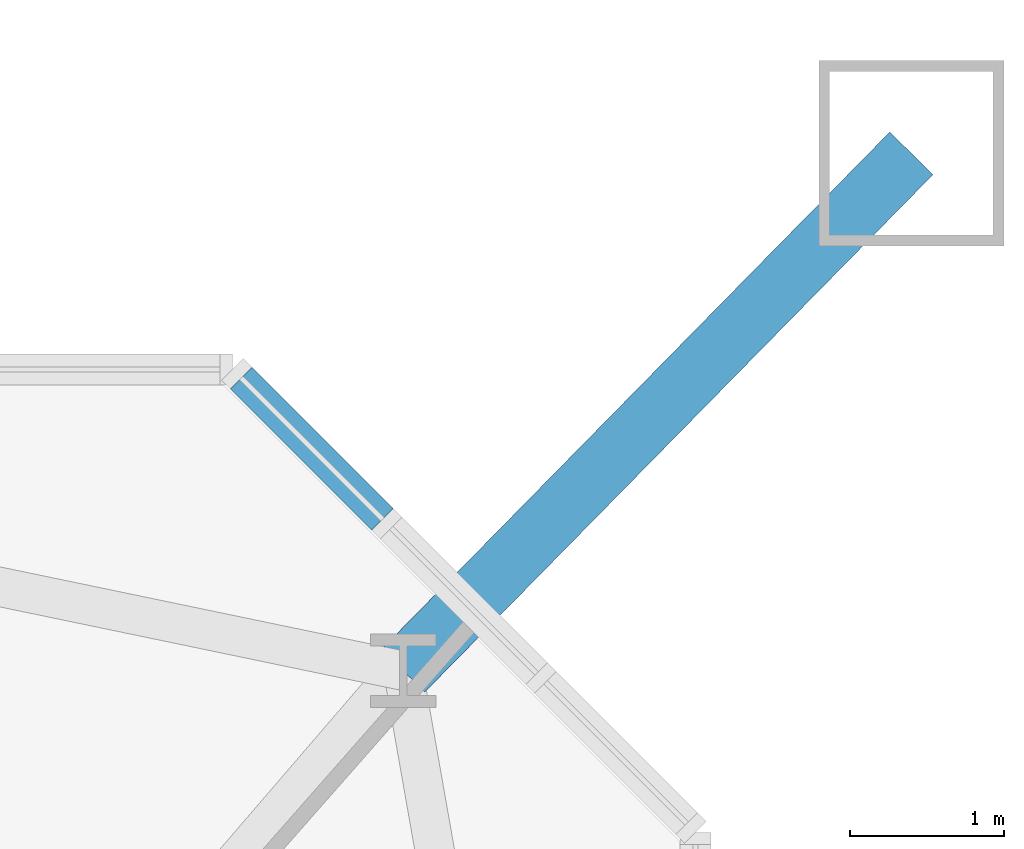
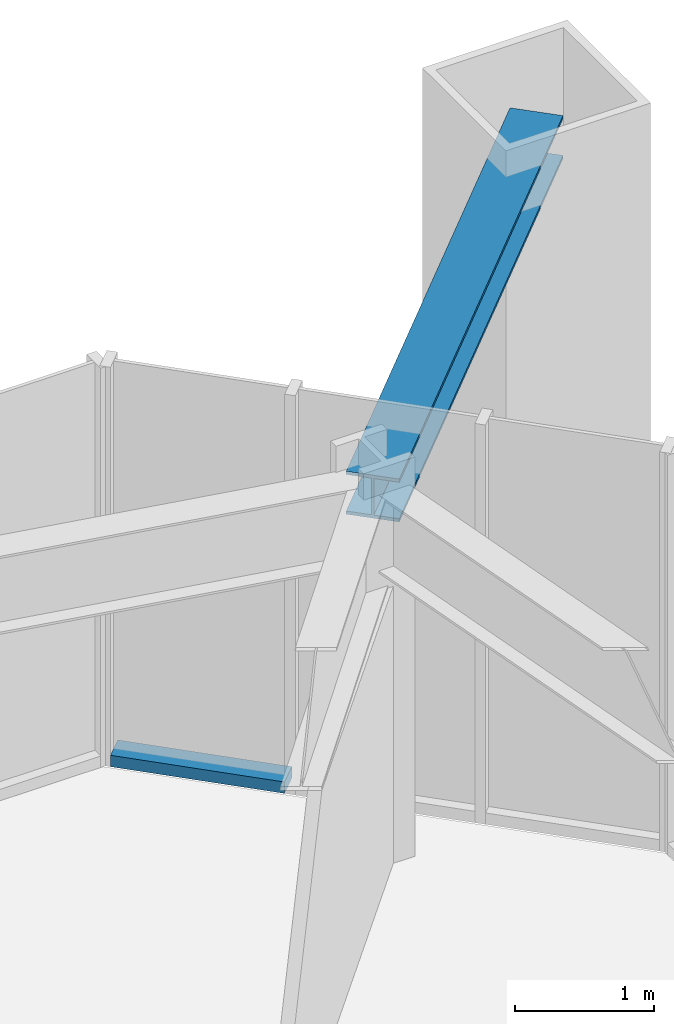
# One storey, part 11 of 26: 2 members, 1 element without a shape of its own.
"""IFC4 building model written with IfcOpenShell, lengths in metres."""

from ifc_helpers import new_model, si_unit, direction, frame, origin, origin_2d, place, context, subcontext, project, spatial, rectangle, i_section, extrude, material, material_profile, profile_set, type_object, element, aggregate, save


model = new_model("IFC4")

# Units and contexts
model_context = context("Model", 3, precision=1e-05, world=origin(), true_north=direction((0.0, 1.0)))
body_context = subcontext(model_context, "Body", "Model", "MODEL_VIEW")
ifc_project = project(units=[si_unit("LENGTHUNIT", "METRE"), si_unit("AREAUNIT", "SQUARE_METRE"), si_unit("VOLUMEUNIT", "CUBIC_METRE"), si_unit("PLANEANGLEUNIT", "RADIAN"), si_unit("MASSUNIT", "GRAM", prefix="KILO")], contexts=[model_context])

# Site, building, storey
site_placement = place(None, origin())
site = spatial("IfcSite", under=ifc_project, at=site_placement, CompositionType="ELEMENT")
building_placement = place(site_placement, origin())
building = spatial("IfcBuilding", under=site, at=building_placement, Name="Iwan Alto Co-Living Towers", CompositionType="ELEMENT")
storey_placement = place(building_placement, frame((0.0, 0.0, 22.0)))
storey = spatial("IfcBuildingStorey", under=building, at=storey_placement, Name="L05", CompositionType="ELEMENT", Elevation=22.0)

# Curtain wall, member
ifc_material_1 = material(Name="Bronze aluminium unitised frame", Category="aluminium")
curtain_wall_type = type_object("IfcCurtainWallType", Name="CURTAIN WALL CW-D", PredefinedType="NOTDEFINED", material=ifc_material_1)
curtain_wall_placement = place(storey_placement, origin())
curtain_wall = element("IfcCurtainWall", 1, at=curtain_wall_placement, inside=storey, type_object=curtain_wall_type, Name="T2 chamfer curtain wall NE L05", PredefinedType="NOTDEFINED")
ifc_material_2 = material(Name="Aluminium 6063-T6 bronze anodised", Category="aluminium")
ifc_material_profile_1 = material_profile(ifc_material_2, rectangle(XDim=0.199951171875, YDim=0.10009765625, at=origin_2d()), Name="AL 200X100")
ifc_profile_set_1 = profile_set([ifc_material_profile_1], Name="Aluminium 6063-T6 bronze anodised")
member_type_1 = type_object("IfcMemberType", Name="CW-D TRANSOM 200X100", PredefinedType="USERDEFINED", material=ifc_profile_set_1)
member_1_placement = place(storey_placement, frame((77.4716796875, 17.7783203125, 0.050048828125), z_axis=(-0.707106781187, 0.707106781187, 0.0), x_axis=(-0.707106781187, -0.707106781187, 0.0)))
member_1 = element("IfcMember", 2, at=member_1_placement, type_object=member_type_1, Name="CW-D transom 3.1", ObjectType="TRANSOM", PredefinedType="USERDEFINED", context=body_context, shape_type="SweptSolid", body=[
    extrude(rectangle(XDim=0.199951171875, YDim=0.10009765625, at=origin_2d()), origin(), (0.0, 0.0, 1.0), 1.2939453125),
])
aggregate(curtain_wall, [member_1])

# Member
ifc_material_3 = material(Name="Steel ASTM A992 Gr 50", Category="steel")
ifc_material_profile_2 = material_profile(ifc_material_3, i_section(OverallWidth=0.393798828125, OverallDepth=0.3759765625, WebThickness=0.017333984375, FlangeThickness=0.027587890625, at=origin_2d()), Name="W14X145")
ifc_profile_set_2 = profile_set([ifc_material_profile_2], Name="Steel ASTM A992 Gr 50")
member_type_2 = type_object("IfcMemberType", Name="T2 MEGA COLUMN FLOOR TIE W14X145", PredefinedType="STRUT", material=ifc_profile_set_2)
member_2_placement = place(storey_placement, frame((80.89990234375, 20.14990234375, 3.08203125), z_axis=(-0.700793469544, -0.71336422187, 0.0), x_axis=(0.71336422187, -0.700793469544, 0.0)))
element("IfcMember", 3, at=member_2_placement, inside=storey, type_object=member_type_2, Name="T2 mega column floor tie NE L06", PredefinedType="STRUT", context=body_context, shape_type="SweptSolid", body=[
    extrude(i_section(OverallWidth=0.393798828125, OverallDepth=0.3759765625, WebThickness=0.017333984375, FlangeThickness=0.027587890625, at=origin_2d()), origin(), (0.0, 0.0, 1.0), 4.699951171875),
])

save(model, "model.ifc")
